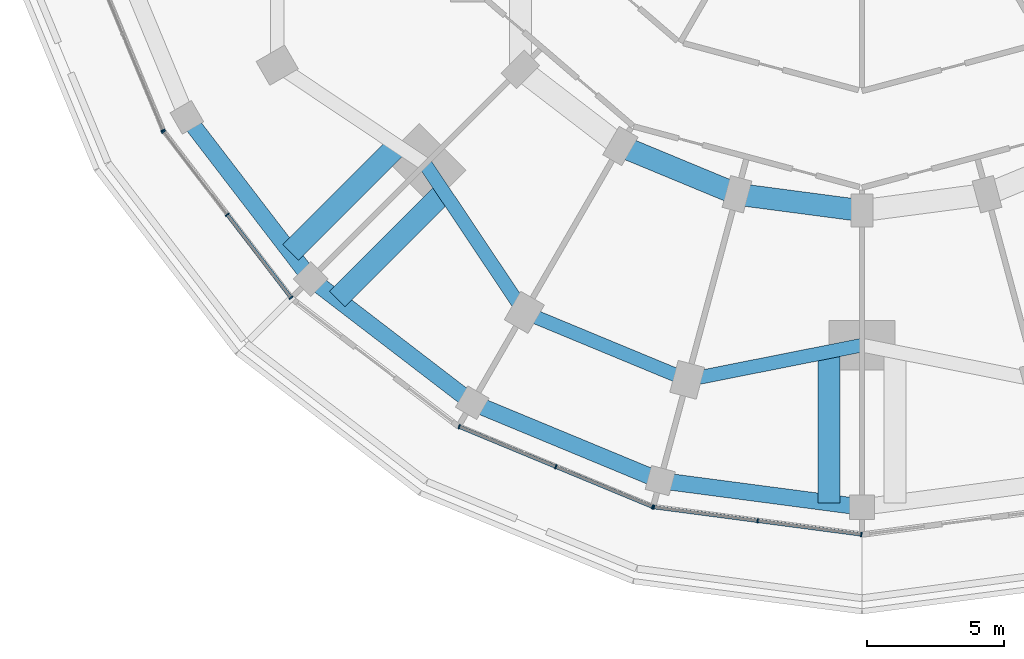
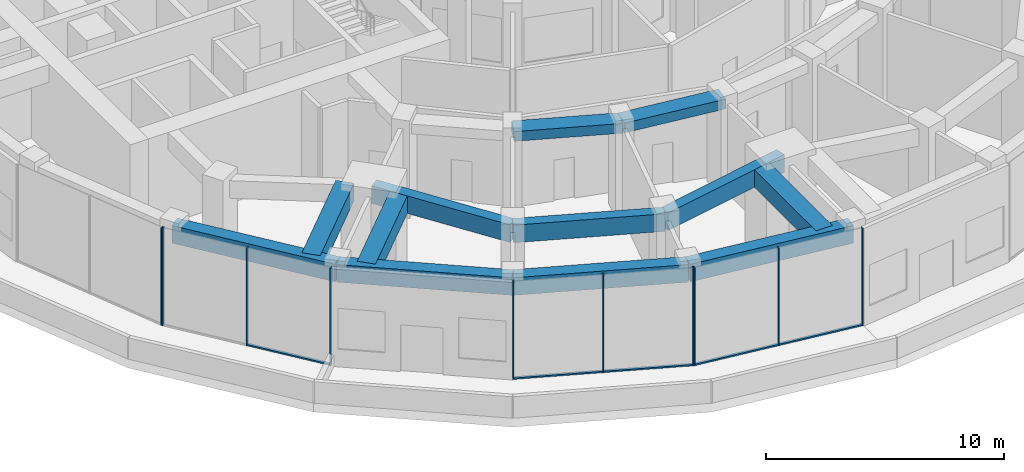
# One storey, part 2 of 19: 15 members, 12 beams, 4 elements without a shape of their own.
"""IFC4 building model written with IfcOpenShell, lengths in metres."""

import ifcopenshell
import ifcopenshell.guid

model = None  # the IFC model being written
_history = None  # IfcOwnerHistory: only IFC2X3 demands one
_inside = {}  # id of a spatial element -> (the spatial element, [elements in it])
_under = {}  # id of a project, library or spatial element -> (it, [spatial elements below it])
_declared = {}  # id of a project -> (the project, [libraries it declares])
_typed = {}  # id of a type object -> (the type object, [elements of that type])
_made_of = {}  # id of a material, layer set ... -> (it, [elements and type objects made of it])


def new_model(schema):
    """Start an empty IFC model of exactly this schema.

    Asked for "IFC4X3", IfcOpenShell would pick the latest addendum, in which some entities
    have other attributes; the version numbers below select the first issue.
    IFC2X3 requires an IfcOwnerHistory on every rooted entity: one is made here for all.
    """
    global model, _history
    if schema == "IFC4X3":
        model = ifcopenshell.file(schema_version=(4, 3, 0, 0))
    else:
        model = ifcopenshell.file(schema=schema)
    _inside.clear()
    _under.clear()
    _declared.clear()
    _typed.clear()
    _made_of.clear()
    _history = None
    if model.schema == "IFC2X3":
        org = make("IfcOrganization", Name="unknown")
        user = make(
            "IfcPersonAndOrganization",
            ThePerson=make("IfcPerson", FamilyName="unknown"),
            TheOrganization=org,
        )
        app = make(
            "IfcApplication",
            ApplicationDeveloper=org,
            Version="unknown",
            ApplicationFullName="unknown",
            ApplicationIdentifier="unknown",
        )
        _history = make(
            "IfcOwnerHistory",
            OwningUser=user,
            OwningApplication=app,
            ChangeAction="ADDED",
            CreationDate=0,
        )
    return model


def make(cls, **values):
    """One entity of the class cls with the attributes given. An attribute that is None is left unset."""
    return model.create_entity(
        cls, **{name: value for name, value in values.items() if value is not None}
    )


def rooted(cls, **values):
    """An entity with a GlobalId (a new one), such as an element, a storey or a relation."""
    return make(cls, GlobalId=ifcopenshell.guid.new(), OwnerHistory=_history, **values)


def si_unit(unit_type, name, prefix=None):
    """IfcSIUnit, for example si_unit("LENGTHUNIT", "METRE", prefix="MILLI")."""
    return make("IfcSIUnit", UnitType=unit_type, Prefix=prefix, Name=name)


def assignment(units):
    """IfcUnitAssignment: the units of a project."""
    return None if units is None else make("IfcUnitAssignment", Units=units)


def point(xyz):
    """IfcCartesianPoint."""
    return None if xyz is None else make("IfcCartesianPoint", Coordinates=xyz)


def direction(xyz):
    """IfcDirection."""
    return None if xyz is None else make("IfcDirection", DirectionRatios=xyz)


def frame(location, z_axis=None, x_axis=None):
    """IfcAxis2Placement3D, a coordinate frame: its origin and axes. An axis left out is left unset."""
    return make(
        "IfcAxis2Placement3D",
        Location=point(location),
        Axis=direction(z_axis),
        RefDirection=direction(x_axis),
    )


def frame_2d(location, x_axis=None):
    """IfcAxis2Placement2D, a coordinate frame in the plane: its origin and x axis."""
    return make(
        "IfcAxis2Placement2D", Location=point(location), RefDirection=direction(x_axis)
    )


def origin():
    """The frame at (0, 0, 0) with its axes left unset."""
    return frame((0.0, 0.0, 0.0))


def origin_2d():
    """The frame at (0, 0) in the plane with its x axis left unset."""
    return frame_2d((0.0, 0.0))


def place(relative_to, where):
    """IfcLocalPlacement: puts the frame where relative to a parent placement (None: the world)."""
    return make(
        "IfcLocalPlacement", PlacementRelTo=relative_to, RelativePlacement=where
    )


def context(
    kind, dimensions, precision=None, world=None, true_north=None, identifier=None
):
    """IfcGeometricRepresentationContext, for example the 3D "Model" context."""
    return make(
        "IfcGeometricRepresentationContext",
        ContextIdentifier=identifier,
        ContextType=kind,
        CoordinateSpaceDimension=dimensions,
        Precision=precision,
        WorldCoordinateSystem=world,
        TrueNorth=true_north,
    )


def subcontext(parent, identifier, kind, view, scale=None):
    """IfcGeometricRepresentationSubContext, for example "Body" below "Model"."""
    return make(
        "IfcGeometricRepresentationSubContext",
        ContextIdentifier=identifier,
        ContextType=kind,
        ParentContext=parent,
        TargetScale=scale,
        TargetView=view,
    )


def project(units=None, contexts=None):
    """IfcProject with its units and contexts."""
    return rooted(
        "IfcProject",
        Name="project",
        RepresentationContexts=contexts,
        UnitsInContext=assignment(units),
    )


def spatial(cls, under=None, at=None, **own):
    """A site, building, storey or space (cls), placed at a placement, below another one or the project."""
    s = rooted(cls, ObjectPlacement=at, **own)
    if under is not None:
        _under.setdefault(under.id(), (under, []))[1].append(s)
    return s


def profile(cls, at=None, kind="AREA", **sizes):
    """A parametric profile (cls). Its sizes go by their IFC names, for example OverallWidth=200.0."""
    return make(cls, ProfileType=kind, Position=at, **sizes)


def rectangle(**sizes):
    """IfcRectangleProfileDef."""
    return profile("IfcRectangleProfileDef", **sizes)


def extrude(swept, where, along, depth):
    """IfcExtrudedAreaSolid: the profile swept, set in the frame where, extruded along a direction by depth."""
    return make(
        "IfcExtrudedAreaSolid",
        SweptArea=swept,
        Position=where,
        ExtrudedDirection=direction(along),
        Depth=depth,
    )


def shape(context_of_items, identifier, shape_type, items):
    """IfcShapeRepresentation: the items that make up one representation, for example the "Body"."""
    return make(
        "IfcShapeRepresentation",
        ContextOfItems=context_of_items,
        RepresentationIdentifier=identifier,
        RepresentationType=shape_type,
        Items=items,
    )


def material(Name=None, Category=None):
    """IfcMaterial."""
    return make("IfcMaterial", Name=Name, Category=Category)


def layer(
    of_material, thickness, ventilated=None, Name=None, Category=None, Priority=None
):
    """IfcMaterialLayer: one layer of a wall or slab, of a material (None: an air gap)."""
    return make(
        "IfcMaterialLayer",
        Material=of_material,
        LayerThickness=thickness,
        IsVentilated=ventilated,
        Name=Name,
        Category=Category,
        Priority=Priority,
    )


def layer_set(layers, Name=None):
    """IfcMaterialLayerSet."""
    return make("IfcMaterialLayerSet", MaterialLayers=layers, LayerSetName=Name)


def material_profile(
    of_material, cross_section, Name=None, Category=None, Priority=None
):
    """IfcMaterialProfile: a cross section and its material."""
    return make(
        "IfcMaterialProfile",
        Name=Name,
        Material=of_material,
        Profile=cross_section,
        Priority=Priority,
        Category=Category,
    )


def profile_set(profiles, Name=None, composite=None):
    """IfcMaterialProfileSet."""
    return make(
        "IfcMaterialProfileSet",
        Name=Name,
        MaterialProfiles=profiles,
        CompositeProfile=composite,
    )


def made_of(thing, what):
    """Note that an element or type object is made of a material, layer set ...; save() writes the relation."""
    if what is not None:
        _made_of.setdefault(what.id(), (what, []))[1].append(thing)
    return thing


def type_object(cls, material=None, **own):
    """A type object (cls), such as IfcWallType, which elements share."""
    return made_of(rooted(cls, **own), material)


def element(
    cls,
    number,
    at=None,
    inside=None,
    cuts=None,
    type_object=None,
    material=None,
    context=None,
    identifier="Body",
    shape_type=None,
    held_by="IfcProductDefinitionShape",
    body=None,
    shapes=None,
    **own,
):
    """One element of the class cls, such as IfcWall. Its Tag is "e" and its number.

    at: its placement. inside: the storey or other place that contains it. cuts: it is an
    opening in that element (IfcRelVoidsElement). A single representation is given by context,
    identifier, shape_type and body (its items); several are given by shapes. held_by: the class
    of the entity that holds the representations. save() writes the other relations.
    """
    e = rooted(cls, Tag="e%d" % number, ObjectPlacement=at, **own)
    if body is not None:
        shapes = [shape(context, identifier, shape_type, body)]
    if shapes is not None:
        e.Representation = make(held_by, Representations=shapes)
    if inside is not None:
        _inside.setdefault(inside.id(), (inside, []))[1].append(e)
    if cuts is not None:
        rooted(
            "IfcRelVoidsElement", RelatingBuildingElement=cuts, RelatedOpeningElement=e
        )
    if type_object is not None:
        _typed.setdefault(type_object.id(), (type_object, []))[1].append(e)
    return made_of(e, material)


def aggregate(whole, parts):
    """IfcRelAggregates: a whole, such as a stair, and the parts it consists of."""
    return rooted("IfcRelAggregates", RelatingObject=whole, RelatedObjects=parts)


def save(model, path):
    """Write the relations noted so far, then the file.

    IfcRelAggregates (storeys below a building ...), IfcRelContainedInSpatialStructure (elements
    in a storey), IfcRelDefinesByType, IfcRelAssociatesMaterial and IfcRelDeclares: one each for
    every whole, place, type object, material and project.
    """
    for whole, parts in _under.values():
        aggregate(whole, parts)
    for where, things in _inside.values():
        rooted(
            "IfcRelContainedInSpatialStructure",
            RelatedElements=things,
            RelatingStructure=where,
        )
    for kind, things in _typed.values():
        rooted("IfcRelDefinesByType", RelatedObjects=things, RelatingType=kind)
    for what, things in _made_of.values():
        rooted("IfcRelAssociatesMaterial", RelatedObjects=things, RelatingMaterial=what)
    for by, libraries in _declared.values():
        rooted("IfcRelDeclares", RelatingContext=by, RelatedDefinitions=libraries)
    model.write(path)


model = new_model("IFC4")

# Units and contexts
model_context = context("Model", 3, precision=1e-05, world=origin(), true_north=direction((0.0, 1.0)))
body_context = subcontext(model_context, "Body", "Model", "MODEL_VIEW")
ifc_project = project(units=[si_unit("LENGTHUNIT", "METRE"), si_unit("AREAUNIT", "SQUARE_METRE"), si_unit("VOLUMEUNIT", "CUBIC_METRE"), si_unit("PLANEANGLEUNIT", "RADIAN"), si_unit("MASSUNIT", "GRAM", prefix="KILO")], contexts=[model_context])

# Site, building, storey
site_placement = place(None, origin())
site = spatial("IfcSite", under=ifc_project, at=site_placement, CompositionType="ELEMENT")
building_placement = place(site_placement, origin())
building = spatial("IfcBuilding", under=site, at=building_placement, Name="Torre Brocal", CompositionType="ELEMENT")
storey_placement = place(building_placement, frame((0.0, 0.0, 23.800048828125)))
storey = spatial("IfcBuildingStorey", under=building, at=storey_placement, Name="L04", CompositionType="ELEMENT", Elevation=23.800048828125)

# Curtain wall, member
ifc_material_1 = material(Name="Aluminium and glass", Category="aluminium")
ifc_layer = layer(ifc_material_1, 0.199951171875)
ifc_layer_set = layer_set([ifc_layer], Name="Aluminium and glass")
curtain_wall_type = type_object("IfcCurtainWallType", Name="CW-6 CURTAIN WALL 5000 HIGH", PredefinedType="NOTDEFINED", material=ifc_layer_set)
curtain_wall_1_placement = place(storey_placement, origin())
curtain_wall_1 = element("IfcCurtainWall", 1, at=curtain_wall_1_placement, inside=storey, type_object=curtain_wall_type, Name="CW-6 RUN 14", PredefinedType="NOTDEFINED")
ifc_material_2 = material(Name="Aluminium, dark anodised", Category="aluminium")
ifc_material_profile_1 = material_profile(ifc_material_2, rectangle(XDim=0.159912109375, YDim=0.050048828125, at=origin_2d()), Name="CW-6 MULLION 50X160")
ifc_profile_set_1 = profile_set([ifc_material_profile_1], Name="Aluminium, dark anodised")
member_type_1 = type_object("IfcMemberType", Name="CW-6 MULLION 50X160", PredefinedType="MULLION", material=ifc_profile_set_1)
member_1_placement = place(storey_placement, frame((54.530029296875, 60.323486328125, 0.0), z_axis=(0.0, 0.0, 1.0), x_axis=(0.923879532511, 0.382683432365, 0.0)))
member_1 = element("IfcMember", 2, at=member_1_placement, type_object=member_type_1, Name="CW6-3 mullion 3", PredefinedType="MULLION", context=body_context, shape_type="SweptSolid", body=[
    extrude(rectangle(XDim=0.159912109375, YDim=0.050048828125, at=origin_2d()), origin(), (0.0, 0.0, 1.0), 5.0),
])
aggregate(curtain_wall_1, [member_1])

# Curtain wall, members
curtain_wall_2_placement = place(storey_placement, origin())
curtain_wall_2 = element("IfcCurtainWall", 3, at=curtain_wall_2_placement, inside=storey, type_object=curtain_wall_type, Name="CW-6 RUN 15", PredefinedType="NOTDEFINED")
member_2_placement = place(storey_placement, frame((54.554931640625, 60.280517578125, 0.0), z_axis=(0.0, 0.0, 1.0), x_axis=(0.793353340291, 0.608761429009, 0.0)))
member_2 = element("IfcMember", 4, at=member_2_placement, type_object=member_type_1, Name="CW6-3 mullion 1", PredefinedType="MULLION", context=body_context, shape_type="SweptSolid", body=[
    extrude(rectangle(XDim=0.159912109375, YDim=0.050048828125, at=origin_2d()), origin(), (0.0, 0.0, 1.0), 5.0),
])
member_3_placement = place(storey_placement, frame((56.875732421875, 57.256103515625, 0.0), z_axis=(0.0, 0.0, 1.0), x_axis=(0.793353340291, 0.608761429009, 0.0)))
member_3 = element("IfcMember", 5, at=member_3_placement, type_object=member_type_1, Name="CW6-3 mullion 2", PredefinedType="MULLION", context=body_context, shape_type="SweptSolid", body=[
    extrude(rectangle(XDim=0.159912109375, YDim=0.050048828125, at=origin_2d()), origin(), (0.0, 0.0, 1.0), 5.0),
])
member_4_placement = place(storey_placement, frame((59.196533203125, 54.2314453125, 0.0), z_axis=(0.0, 0.0, 1.0), x_axis=(0.793353340291, 0.608761429009, 0.0)))
member_4 = element("IfcMember", 6, at=member_4_placement, type_object=member_type_1, Name="CW6-3 mullion 3", PredefinedType="MULLION", context=body_context, shape_type="SweptSolid", body=[
    extrude(rectangle(XDim=0.159912109375, YDim=0.050048828125, at=origin_2d()), origin(), (0.0, 0.0, 1.0), 5.0),
])

curtain_wall_3_placement = place(storey_placement, origin())
curtain_wall_3 = element("IfcCurtainWall", 7, at=curtain_wall_3_placement, inside=storey, type_object=curtain_wall_type, Name="CW-6 RUN 17", PredefinedType="NOTDEFINED")
member_5_placement = place(storey_placement, frame((65.323486328125, 49.530029296875, 0.0), z_axis=(0.0, 0.0, 1.0), x_axis=(0.382683432365, 0.923879532511, 0.0)))
member_5 = element("IfcMember", 8, at=member_5_placement, type_object=member_type_1, Name="CW6-3 mullion 1", PredefinedType="MULLION", context=body_context, shape_type="SweptSolid", body=[
    extrude(rectangle(XDim=0.159912109375, YDim=0.050048828125, at=origin_2d()), origin(), (0.0, 0.0, 1.0), 5.0),
])
member_6_placement = place(storey_placement, frame((68.845703125, 48.071044921875, 0.0), z_axis=(0.0, 0.0, 1.0), x_axis=(0.382683432365, 0.923879532511, 0.0)))
member_6 = element("IfcMember", 9, at=member_6_placement, type_object=member_type_1, Name="CW6-3 mullion 2", PredefinedType="MULLION", context=body_context, shape_type="SweptSolid", body=[
    extrude(rectangle(XDim=0.159912109375, YDim=0.050048828125, at=origin_2d()), origin(), (0.0, 0.0, 1.0), 5.0),
])
member_7_placement = place(storey_placement, frame((72.367919921875, 46.612060546875, 0.0), z_axis=(0.0, 0.0, 1.0), x_axis=(0.382683432365, 0.923879532511, 0.0)))
member_7 = element("IfcMember", 10, at=member_7_placement, type_object=member_type_1, Name="CW6-3 mullion 3", PredefinedType="MULLION", context=body_context, shape_type="SweptSolid", body=[
    extrude(rectangle(XDim=0.159912109375, YDim=0.050048828125, at=origin_2d()), origin(), (0.0, 0.0, 1.0), 5.0),
])

curtain_wall_4_placement = place(storey_placement, origin())
curtain_wall_4 = element("IfcCurtainWall", 11, at=curtain_wall_4_placement, inside=storey, type_object=curtain_wall_type, Name="CW-6 RUN 18", PredefinedType="NOTDEFINED")
member_8_placement = place(storey_placement, frame((72.415771484375, 46.599365234375, 0.0), z_axis=(0.0, 0.0, 1.0), x_axis=(0.130526192272, 0.991444861367, 0.0)))
member_8 = element("IfcMember", 12, at=member_8_placement, type_object=member_type_1, Name="CW6-3 mullion 1", PredefinedType="MULLION", context=body_context, shape_type="SweptSolid", body=[
    extrude(rectangle(XDim=0.159912109375, YDim=0.050048828125, at=origin_2d()), origin(), (0.0, 0.0, 1.0), 5.0),
])
member_9_placement = place(storey_placement, frame((76.195556640625, 46.101806640625, 0.0), z_axis=(0.0, 0.0, 1.0), x_axis=(0.130526192272, 0.991444861367, 0.0)))
member_9 = element("IfcMember", 13, at=member_9_placement, type_object=member_type_1, Name="CW6-3 mullion 2", PredefinedType="MULLION", context=body_context, shape_type="SweptSolid", body=[
    extrude(rectangle(XDim=0.159912109375, YDim=0.050048828125, at=origin_2d()), origin(), (0.0, 0.0, 1.0), 5.0),
])
member_10_placement = place(storey_placement, frame((79.97509765625, 45.604248046875, 0.0), z_axis=(0.0, 0.0, 1.0), x_axis=(0.130526192272, 0.991444861367, 0.0)))
member_10 = element("IfcMember", 14, at=member_10_placement, type_object=member_type_1, Name="CW6-3 mullion 3", PredefinedType="MULLION", context=body_context, shape_type="SweptSolid", body=[
    extrude(rectangle(XDim=0.159912109375, YDim=0.050048828125, at=origin_2d()), origin(), (0.0, 0.0, 1.0), 5.0),
])

# Member
ifc_material_3 = material(Name="Aluminium, dark anodised", Category="aluminium")
ifc_material_profile_2 = material_profile(ifc_material_3, rectangle(XDim=0.1298828125, YDim=0.070068359375, at=origin_2d()), Name="CW-6 TRANSOM 130X70")
ifc_profile_set_2 = profile_set([ifc_material_profile_2], Name="Aluminium, dark anodised")
member_type_2 = type_object("IfcMemberType", Name="CW-6 TRANSOM 130X70", PredefinedType="USERDEFINED", material=ifc_profile_set_2)
member_11_placement = place(storey_placement, frame((56.890869140625, 57.236328125, 0.034912109375), z_axis=(0.608716213405, -0.793388033397, 0.0), x_axis=(0.793388033397, 0.608716213405, 0.0)))
member_11 = element("IfcMember", 15, at=member_11_placement, type_object=member_type_2, Name="CW6-3 transom 2.1", ObjectType="TRANSOM", PredefinedType="USERDEFINED", context=body_context, shape_type="SweptSolid", body=[
    extrude(rectangle(XDim=0.1298828125, YDim=0.070068359375, at=origin_2d()), origin(), (0.0, 0.0, 1.0), 3.762451171875),
])

aggregate(curtain_wall_2, [member_2, member_3, member_4, member_11])

member_12_placement = place(storey_placement, frame((65.3466796875, 49.5205078125, 0.034912109375), z_axis=(0.923860224844, -0.382730041872, 0.0), x_axis=(0.382730041872, 0.923860224844, 0.0)))
member_12 = element("IfcMember", 16, at=member_12_placement, type_object=member_type_2, Name="CW6-3 transom 1.1", ObjectType="TRANSOM", PredefinedType="USERDEFINED", context=body_context, shape_type="SweptSolid", body=[
    extrude(rectangle(XDim=0.1298828125, YDim=0.070068359375, at=origin_2d()), origin(), (0.0, 0.0, 1.0), 3.76220703125),
])

member_13_placement = place(storey_placement, frame((68.868896484375, 48.0615234375, 0.034912109375), z_axis=(0.923883168677, -0.382674653767, 0.0), x_axis=(0.382674653767, 0.923883168677, 0.0)))
member_13 = element("IfcMember", 17, at=member_13_placement, type_object=member_type_2, Name="CW6-3 transom 2.1", ObjectType="TRANSOM", PredefinedType="USERDEFINED", context=body_context, shape_type="SweptSolid", body=[
    extrude(rectangle(XDim=0.1298828125, YDim=0.070068359375, at=origin_2d()), origin(), (0.0, 0.0, 1.0), 3.76220703125),
])

aggregate(curtain_wall_3, [member_5, member_6, member_7, member_12, member_13])

member_14_placement = place(storey_placement, frame((72.4404296875, 46.59619140625, 0.034912109375), z_axis=(0.991440817702, -0.13055690328, 0.0), x_axis=(0.13055690328, 0.991440817702, 0.0)))
member_14 = element("IfcMember", 18, at=member_14_placement, type_object=member_type_2, Name="CW6-3 transom 1.1", ObjectType="TRANSOM", PredefinedType="USERDEFINED", context=body_context, shape_type="SweptSolid", body=[
    extrude(rectangle(XDim=0.1298828125, YDim=0.070068359375, at=origin_2d()), origin(), (0.0, 0.0, 1.0), 3.762451171875),
])

member_15_placement = place(storey_placement, frame((76.22021484375, 46.098388671875, 0.034912109375), z_axis=(0.991449214933, -0.130493119395, 0.0), x_axis=(0.130493119395, 0.991449214933, 0.0)))
member_15 = element("IfcMember", 19, at=member_15_placement, type_object=member_type_2, Name="CW6-3 transom 2.1", ObjectType="TRANSOM", PredefinedType="USERDEFINED", context=body_context, shape_type="SweptSolid", body=[
    extrude(rectangle(XDim=0.1298828125, YDim=0.070068359375, at=origin_2d()), origin(), (0.0, 0.0, 1.0), 3.762451171875),
])

aggregate(curtain_wall_4, [member_8, member_9, member_10, member_14, member_15])

# Beams
ifc_material_4 = material(Name="Concrete C50", Category="concrete")
ifc_material_profile_3 = material_profile(ifc_material_4, rectangle(XDim=0.60009765625, YDim=0.89990234375, at=origin_2d()), Name="RC 600X900")
ifc_profile_set_3 = profile_set([ifc_material_profile_3], Name="Concrete C50")
beam_type_1 = type_object("IfcBeamType", Name="RC BEAM 600X900 C50 TOP 4680", PredefinedType="BEAM", material=ifc_profile_set_3)
for number, where, z_axis, x_axis, name in (
    (20, (55.40478515625, 60.800048828125, 4.22998046875), (0.608772998493, -0.793344462579, 0.0), (0.793344462579, 0.608772998493, 0.0), "Beam BT-16"),
    (21, (59.918212890625, 54.918212890625, 4.22998046875), (0.793344462579, -0.608772998493, 0.0), (0.608772998493, 0.793344462579, 0.0), "Beam BT-16"),
    (22, (65.800048828125, 50.40478515625, 4.22998046875), (0.923881578151, -0.382678493716, 0.0), (0.382678493716, 0.923881578151, 0.0), "Beam BT-16"),
):
    element("IfcBeam", number, at=place(storey_placement, frame(where, z_axis=z_axis, x_axis=x_axis)), inside=storey, type_object=beam_type_1, Name=name, PredefinedType="BEAM", context=body_context, shape_type="SweptSolid", body=[
        extrude(rectangle(XDim=0.60009765625, YDim=0.89990234375, at=origin_2d()), origin(), (0.0, 0.0, 1.0), 7.4140625),
    ])
beam_1_placement = place(storey_placement, frame((72.649658203125, 47.567626953125, 4.22998046875), z_axis=(0.991447681208, -0.130504771669, 0.0), x_axis=(0.130504771669, 0.991447681208, 0.0)))
element("IfcBeam", 23, at=beam_1_placement, inside=storey, type_object=beam_type_1, Name="Beam BT-16", PredefinedType="BEAM", context=body_context, shape_type="SweptSolid", body=[
    extrude(rectangle(XDim=0.60009765625, YDim=0.89990234375, at=origin_2d()), origin(), (0.0, 0.0, 1.0), 7.413818359375),
])
ifc_material_5 = material(Name="Concrete C50", Category="concrete")
ifc_material_profile_4 = material_profile(ifc_material_5, rectangle(XDim=0.800048828125, YDim=0.5, at=origin_2d()), Name="RC 800X500")
ifc_profile_set_4 = profile_set([ifc_material_profile_4], Name="Concrete C50")
beam_type_2 = type_object("IfcBeamType", Name="RC BEAM 800X500 C50 TOP 4680", PredefinedType="BEAM", material=ifc_profile_set_4)
beam_2_placement = place(storey_placement, frame((71.199951171875, 59.758056640625, 4.429931640625), z_axis=(0.923878240166, -0.382686552348, 0.0), x_axis=(0.382686552348, 0.923878240166, 0.0)))
element("IfcBeam", 24, at=beam_2_placement, inside=storey, type_object=beam_type_2, Name="Beam BT-17", PredefinedType="BEAM", context=body_context, shape_type="SweptSolid", body=[
    extrude(rectangle(XDim=0.800048828125, YDim=0.5, at=origin_2d()), origin(), (0.0, 0.0, 1.0), 4.5947265625),
])
beam_3_placement = place(storey_placement, frame((75.44482421875, 57.999755859375, 4.429931640625), z_axis=(0.991440544449, -0.130558978332, 0.0), x_axis=(0.130558978332, 0.991440544449, 0.0)))
element("IfcBeam", 25, at=beam_3_placement, inside=storey, type_object=beam_type_2, Name="Beam BT-17", PredefinedType="BEAM", context=body_context, shape_type="SweptSolid", body=[
    extrude(rectangle(XDim=0.800048828125, YDim=0.5, at=origin_2d()), origin(), (0.0, 0.0, 1.0), 4.594482421875),
])
ifc_material_6 = material(Name="Concrete C50", Category="concrete")
ifc_material_profile_5 = material_profile(ifc_material_6, rectangle(XDim=0.800048828125, YDim=0.89990234375, at=origin_2d()), Name="RC 800X900")
ifc_profile_set_5 = profile_set([ifc_material_profile_5], Name="Concrete C50")
beam_type_3 = type_object("IfcBeamType", Name="RC BEAM 800X900 C50 TOP 4680", PredefinedType="BEAM", material=ifc_profile_set_5)
for number, where, z_axis, x_axis, name in (
    (26, (63.073486328125, 59.7705078125, 4.22998046875), (-0.707106781187, -0.707106781187, 0.0), (0.707106781187, -0.707106781187, 0.0), "Beam BT-54"),
    (27, (64.7705078125, 58.073486328125, 4.22998046875), (-0.707106781187, -0.707106781187, 0.0), (0.707106781187, -0.707106781187, 0.0), "Beam BT-54"),
    (28, (78.800048828125, 52.26220703125, 4.22998046875), (0.0, -1.0, 0.0), (1.0, 0.0, 0.0), "Beam BT-54"),
):
    element("IfcBeam", number, at=place(storey_placement, frame(where, z_axis=z_axis, x_axis=x_axis)), inside=storey, type_object=beam_type_3, Name=name, PredefinedType="BEAM", context=body_context, shape_type="SweptSolid", body=[
        extrude(rectangle(XDim=0.800048828125, YDim=0.89990234375, at=origin_2d()), origin(), (0.0, 0.0, 1.0), 5.504150390625),
    ])
ifc_material_7 = material(Name="Concrete C50", Category="concrete")
ifc_material_profile_6 = material_profile(ifc_material_7, rectangle(XDim=0.5, YDim=0.89990234375, at=origin_2d()), Name="RC 500X900")
ifc_profile_set_6 = profile_set([ifc_material_profile_6], Name="Concrete C50")
beam_type_4 = type_object("IfcBeamType", Name="RC SPANDREL BEAM 500X900 C50 TOP 4680", PredefinedType="SPANDREL", material=ifc_profile_set_6)
beam_4_placement = place(storey_placement, frame((64.090087890625, 59.090087890625, 4.22998046875), z_axis=(0.556157602282, -0.831076844476, 0.0), x_axis=(0.831076844476, 0.556157602282, 0.0)))
element("IfcBeam", 29, at=beam_4_placement, inside=storey, type_object=beam_type_4, Name="Beam BT-18", PredefinedType="SPANDREL", context=body_context, shape_type="SweptSolid", body=[
    extrude(rectangle(XDim=0.5, YDim=0.89990234375, at=origin_2d()), origin(), (0.0, 0.0, 1.0), 6.49072265625),
])
beam_5_placement = place(storey_placement, frame((67.699951171875, 53.69580078125, 4.22998046875), z_axis=(0.923882462513, -0.382676358639, 0.0), x_axis=(0.382676358639, 0.923882462513, 0.0)))
element("IfcBeam", 30, at=beam_5_placement, inside=storey, type_object=beam_type_4, Name="Beam BT-18", PredefinedType="SPANDREL", context=body_context, shape_type="SweptSolid", body=[
    extrude(rectangle(XDim=0.5, YDim=0.89990234375, at=origin_2d()), origin(), (0.0, 0.0, 1.0), 6.421875),
])
beam_6_placement = place(storey_placement, frame((73.633056640625, 51.23828125, 4.22998046875), z_axis=(0.980924907484, 0.194387051723, 0.0), x_axis=(-0.194387051723, 0.980924907484, 0.0)))
element("IfcBeam", 31, at=beam_6_placement, inside=storey, type_object=beam_type_4, Name="Beam BT-18", PredefinedType="SPANDREL", context=body_context, shape_type="SweptSolid", body=[
    extrude(rectangle(XDim=0.5, YDim=0.89990234375, at=origin_2d()), origin(), (0.0, 0.0, 1.0), 6.49072265625),
])

save(model, "model.ifc")
